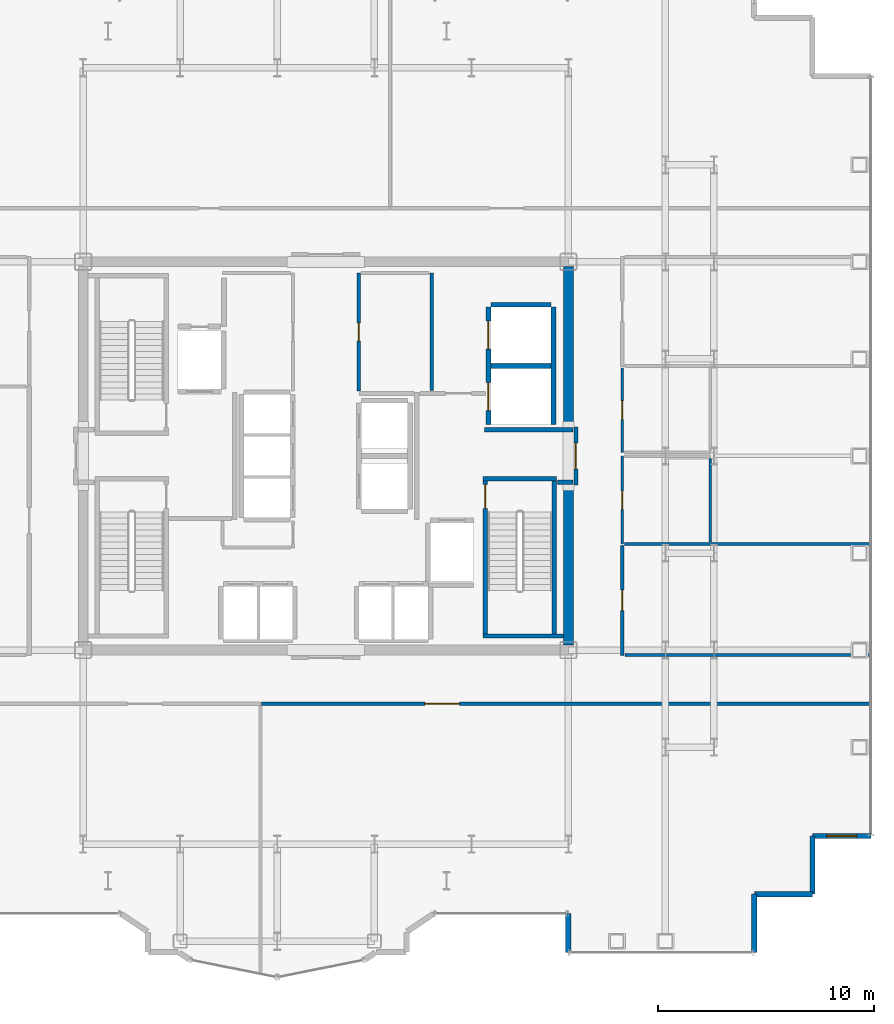
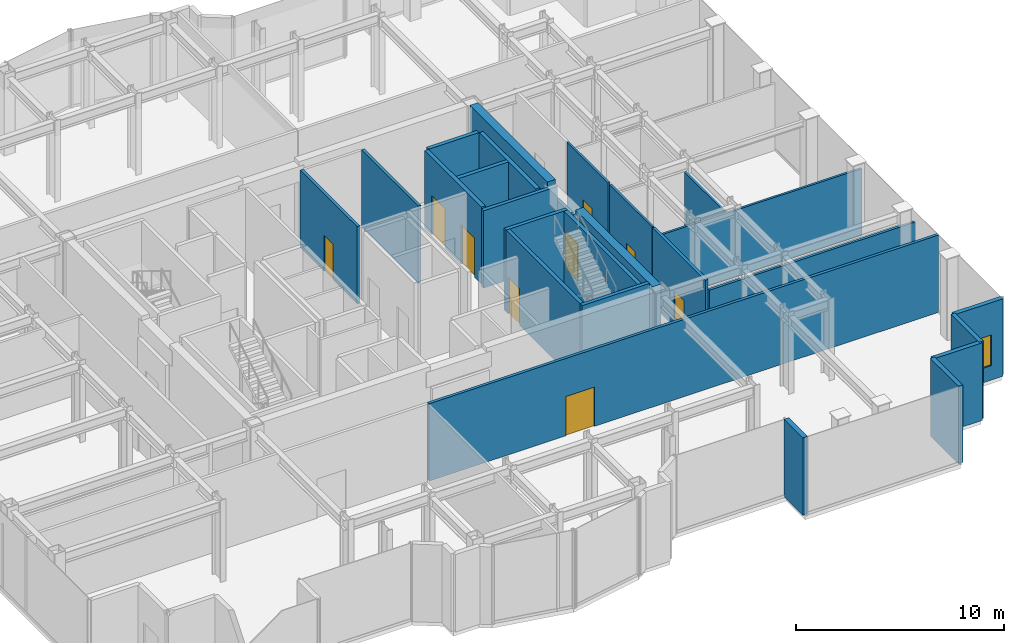
# One storey, part 16 of 20: 27 walls, 9 doors, 1 window, 10 openings.
"""IFC4 building model written with IfcOpenShell, lengths in metres."""

import ifcopenshell
import ifcopenshell.guid

model = None  # the IFC model being written
_history = None  # IfcOwnerHistory: only IFC2X3 demands one
_inside = {}  # id of a spatial element -> (the spatial element, [elements in it])
_under = {}  # id of a project, library or spatial element -> (it, [spatial elements below it])
_declared = {}  # id of a project -> (the project, [libraries it declares])
_typed = {}  # id of a type object -> (the type object, [elements of that type])
_made_of = {}  # id of a material, layer set ... -> (it, [elements and type objects made of it])


def new_model(schema):
    """Start an empty IFC model of exactly this schema.

    Asked for "IFC4X3", IfcOpenShell would pick the latest addendum, in which some entities
    have other attributes; the version numbers below select the first issue.
    IFC2X3 requires an IfcOwnerHistory on every rooted entity: one is made here for all.
    """
    global model, _history
    if schema == "IFC4X3":
        model = ifcopenshell.file(schema_version=(4, 3, 0, 0))
    else:
        model = ifcopenshell.file(schema=schema)
    _inside.clear()
    _under.clear()
    _declared.clear()
    _typed.clear()
    _made_of.clear()
    _history = None
    if model.schema == "IFC2X3":
        org = make("IfcOrganization", Name="unknown")
        user = make(
            "IfcPersonAndOrganization",
            ThePerson=make("IfcPerson", FamilyName="unknown"),
            TheOrganization=org,
        )
        app = make(
            "IfcApplication",
            ApplicationDeveloper=org,
            Version="unknown",
            ApplicationFullName="unknown",
            ApplicationIdentifier="unknown",
        )
        _history = make(
            "IfcOwnerHistory",
            OwningUser=user,
            OwningApplication=app,
            ChangeAction="ADDED",
            CreationDate=0,
        )
    return model


def make(cls, **values):
    """One entity of the class cls with the attributes given. An attribute that is None is left unset."""
    return model.create_entity(
        cls, **{name: value for name, value in values.items() if value is not None}
    )


def rooted(cls, **values):
    """An entity with a GlobalId (a new one), such as an element, a storey or a relation."""
    return make(cls, GlobalId=ifcopenshell.guid.new(), OwnerHistory=_history, **values)


def si_unit(unit_type, name, prefix=None):
    """IfcSIUnit, for example si_unit("LENGTHUNIT", "METRE", prefix="MILLI")."""
    return make("IfcSIUnit", UnitType=unit_type, Prefix=prefix, Name=name)


def assignment(units):
    """IfcUnitAssignment: the units of a project."""
    return None if units is None else make("IfcUnitAssignment", Units=units)


def point(xyz):
    """IfcCartesianPoint."""
    return None if xyz is None else make("IfcCartesianPoint", Coordinates=xyz)


def direction(xyz):
    """IfcDirection."""
    return None if xyz is None else make("IfcDirection", DirectionRatios=xyz)


def frame(location, z_axis=None, x_axis=None):
    """IfcAxis2Placement3D, a coordinate frame: its origin and axes. An axis left out is left unset."""
    return make(
        "IfcAxis2Placement3D",
        Location=point(location),
        Axis=direction(z_axis),
        RefDirection=direction(x_axis),
    )


def frame_2d(location, x_axis=None):
    """IfcAxis2Placement2D, a coordinate frame in the plane: its origin and x axis."""
    return make(
        "IfcAxis2Placement2D", Location=point(location), RefDirection=direction(x_axis)
    )


def origin():
    """The frame at (0, 0, 0) with its axes left unset."""
    return frame((0.0, 0.0, 0.0))


def place(relative_to, where):
    """IfcLocalPlacement: puts the frame where relative to a parent placement (None: the world)."""
    return make(
        "IfcLocalPlacement", PlacementRelTo=relative_to, RelativePlacement=where
    )


def context(
    kind, dimensions, precision=None, world=None, true_north=None, identifier=None
):
    """IfcGeometricRepresentationContext, for example the 3D "Model" context."""
    return make(
        "IfcGeometricRepresentationContext",
        ContextIdentifier=identifier,
        ContextType=kind,
        CoordinateSpaceDimension=dimensions,
        Precision=precision,
        WorldCoordinateSystem=world,
        TrueNorth=true_north,
    )


def subcontext(parent, identifier, kind, view, scale=None):
    """IfcGeometricRepresentationSubContext, for example "Body" below "Model"."""
    return make(
        "IfcGeometricRepresentationSubContext",
        ContextIdentifier=identifier,
        ContextType=kind,
        ParentContext=parent,
        TargetScale=scale,
        TargetView=view,
    )


def project(units=None, contexts=None):
    """IfcProject with its units and contexts."""
    return rooted(
        "IfcProject",
        Name="project",
        RepresentationContexts=contexts,
        UnitsInContext=assignment(units),
    )


def spatial(cls, under=None, at=None, **own):
    """A site, building, storey or space (cls), placed at a placement, below another one or the project."""
    s = rooted(cls, ObjectPlacement=at, **own)
    if under is not None:
        _under.setdefault(under.id(), (under, []))[1].append(s)
    return s


def profile(cls, at=None, kind="AREA", **sizes):
    """A parametric profile (cls). Its sizes go by their IFC names, for example OverallWidth=200.0."""
    return make(cls, ProfileType=kind, Position=at, **sizes)


def rectangle(**sizes):
    """IfcRectangleProfileDef."""
    return profile("IfcRectangleProfileDef", **sizes)


def extrude(swept, where, along, depth):
    """IfcExtrudedAreaSolid: the profile swept, set in the frame where, extruded along a direction by depth."""
    return make(
        "IfcExtrudedAreaSolid",
        SweptArea=swept,
        Position=where,
        ExtrudedDirection=direction(along),
        Depth=depth,
    )


def shape(context_of_items, identifier, shape_type, items):
    """IfcShapeRepresentation: the items that make up one representation, for example the "Body"."""
    return make(
        "IfcShapeRepresentation",
        ContextOfItems=context_of_items,
        RepresentationIdentifier=identifier,
        RepresentationType=shape_type,
        Items=items,
    )


def source(mapping_origin, context_of_items, identifier, shape_type, items):
    """IfcRepresentationMap: a shape defined once, which mapped items show again and again."""
    return make(
        "IfcRepresentationMap",
        MappingOrigin=mapping_origin,
        MappedRepresentation=shape(context_of_items, identifier, shape_type, items),
    )


def transform(
    local_origin,
    x_axis=None,
    y_axis=None,
    z_axis=None,
    scale=None,
    scale2=None,
    scale3=None,
    uniform=True,
):
    """IfcCartesianTransformationOperator3D, or its non-uniform kind. x_axis, y_axis, z_axis: its Axis1, 2, 3."""
    if uniform:
        return make(
            "IfcCartesianTransformationOperator3D",
            Axis1=direction(x_axis),
            Axis2=direction(y_axis),
            LocalOrigin=point(local_origin),
            Scale=scale,
            Axis3=direction(z_axis),
        )
    return make(
        "IfcCartesianTransformationOperator3DnonUniform",
        Axis1=direction(x_axis),
        Axis2=direction(y_axis),
        LocalOrigin=point(local_origin),
        Scale=scale,
        Axis3=direction(z_axis),
        Scale2=scale2,
        Scale3=scale3,
    )


def mapped(mapping_source, mapping_target):
    """IfcMappedItem: shows the shape of a source again, moved by a transform."""
    return make(
        "IfcMappedItem", MappingSource=mapping_source, MappingTarget=mapping_target
    )


def material(Name=None, Category=None):
    """IfcMaterial."""
    return make("IfcMaterial", Name=Name, Category=Category)


def layer(
    of_material, thickness, ventilated=None, Name=None, Category=None, Priority=None
):
    """IfcMaterialLayer: one layer of a wall or slab, of a material (None: an air gap)."""
    return make(
        "IfcMaterialLayer",
        Material=of_material,
        LayerThickness=thickness,
        IsVentilated=ventilated,
        Name=Name,
        Category=Category,
        Priority=Priority,
    )


def layer_set(layers, Name=None):
    """IfcMaterialLayerSet."""
    return make("IfcMaterialLayerSet", MaterialLayers=layers, LayerSetName=Name)


def made_of(thing, what):
    """Note that an element or type object is made of a material, layer set ...; save() writes the relation."""
    if what is not None:
        _made_of.setdefault(what.id(), (what, []))[1].append(thing)
    return thing


def type_object(cls, material=None, **own):
    """A type object (cls), such as IfcWallType, which elements share."""
    return made_of(rooted(cls, **own), material)


def element(
    cls,
    number,
    at=None,
    inside=None,
    cuts=None,
    type_object=None,
    material=None,
    context=None,
    identifier="Body",
    shape_type=None,
    held_by="IfcProductDefinitionShape",
    body=None,
    shapes=None,
    **own,
):
    """One element of the class cls, such as IfcWall. Its Tag is "e" and its number.

    at: its placement. inside: the storey or other place that contains it. cuts: it is an
    opening in that element (IfcRelVoidsElement). A single representation is given by context,
    identifier, shape_type and body (its items); several are given by shapes. held_by: the class
    of the entity that holds the representations. save() writes the other relations.
    """
    e = rooted(cls, Tag="e%d" % number, ObjectPlacement=at, **own)
    if body is not None:
        shapes = [shape(context, identifier, shape_type, body)]
    if shapes is not None:
        e.Representation = make(held_by, Representations=shapes)
    if inside is not None:
        _inside.setdefault(inside.id(), (inside, []))[1].append(e)
    if cuts is not None:
        rooted(
            "IfcRelVoidsElement", RelatingBuildingElement=cuts, RelatedOpeningElement=e
        )
    if type_object is not None:
        _typed.setdefault(type_object.id(), (type_object, []))[1].append(e)
    return made_of(e, material)


def fill(opening, filler):
    """IfcRelFillsElement: the door or window that sits in an opening."""
    return rooted(
        "IfcRelFillsElement",
        RelatingOpeningElement=opening,
        RelatedBuildingElement=filler,
    )


def aggregate(whole, parts):
    """IfcRelAggregates: a whole, such as a stair, and the parts it consists of."""
    return rooted("IfcRelAggregates", RelatingObject=whole, RelatedObjects=parts)


def save(model, path):
    """Write the relations noted so far, then the file.

    IfcRelAggregates (storeys below a building ...), IfcRelContainedInSpatialStructure (elements
    in a storey), IfcRelDefinesByType, IfcRelAssociatesMaterial and IfcRelDeclares: one each for
    every whole, place, type object, material and project.
    """
    for whole, parts in _under.values():
        aggregate(whole, parts)
    for where, things in _inside.values():
        rooted(
            "IfcRelContainedInSpatialStructure",
            RelatedElements=things,
            RelatingStructure=where,
        )
    for kind, things in _typed.values():
        rooted("IfcRelDefinesByType", RelatedObjects=things, RelatingType=kind)
    for what, things in _made_of.values():
        rooted("IfcRelAssociatesMaterial", RelatedObjects=things, RelatingMaterial=what)
    for by, libraries in _declared.values():
        rooted("IfcRelDeclares", RelatingContext=by, RelatedDefinitions=libraries)
    model.write(path)


model = new_model("IFC4")

# Units and contexts
model_context = context("Model", 3, precision=1e-05, world=origin(), true_north=direction((0.0, 1.0)))
body_context = subcontext(model_context, "Body", "Model", "MODEL_VIEW")
ifc_project = project(units=[si_unit("LENGTHUNIT", "METRE"), si_unit("AREAUNIT", "SQUARE_METRE"), si_unit("VOLUMEUNIT", "CUBIC_METRE"), si_unit("PLANEANGLEUNIT", "RADIAN"), si_unit("MASSUNIT", "GRAM", prefix="KILO")], contexts=[model_context])

# Site, building, storey
site_placement = place(None, origin())
site = spatial("IfcSite", under=ifc_project, at=site_placement, CompositionType="ELEMENT")
building_placement = place(site_placement, origin())
building = spatial("IfcBuilding", under=site, at=building_placement, Name="Nefas-Gora Pilgrimage Tower", CompositionType="ELEMENT")
storey_placement = place(building_placement, frame((0.0, 0.0, 259.800048828125)))
storey = spatial("IfcBuildingStorey", under=building, at=storey_placement, Name="L65", CompositionType="ELEMENT", Elevation=259.800048828125)

# Walls
ifc_material_1 = material(Name="Concrete C50/60", Category="concrete")
ifc_layer_1 = layer(ifc_material_1, 0.449951171875)
ifc_layer_set_1 = layer_set([ifc_layer_1], Name="Concrete C50/60")
wall_type_1 = type_object("IfcWallType", Name="SW-CORE-450", PredefinedType="SHEAR", material=ifc_layer_set_1)
shared_shape_1 = source(origin(), body_context, "Body", "SweptSolid", [
    extrude(rectangle(XDim=7.4248046875, YDim=0.449951171875, at=frame_2d((3.71240234375, 0.0))), origin(), (0.0, 0.0, 1.0), 4.800048828125),
])
for number, where, z_axis, x_axis, name in (
    (1, (11.25, -8.77490234375, 0.0), (0.0, 0.0, 1.0), (0.0, 1.0, 0.0), "L65 Core Shear Wall E-South"),
    (2, (11.25, 1.35009765625, 0.0), (0.0, 0.0, 1.0), (0.0, 1.0, 0.0), "L65 Core Shear Wall E-North"),
):
    element("IfcWall", number, at=place(storey_placement, frame(where, z_axis=z_axis, x_axis=x_axis)), inside=storey, type_object=wall_type_1, Name=name, PredefinedType="SHEAR", context=body_context, shape_type="MappedRepresentation", body=[
        mapped(shared_shape_1, transform((0.0, 0.0, 0.0), x_axis=(1.0, 0.0, 0.0), y_axis=(0.0, 1.0, 0.0), z_axis=(0.0, 0.0, 1.0), scale=1.0)),
    ])
ifc_material_2 = material(Name="Precast concrete C40/50", Category="concrete")
ifc_layer_2 = layer(ifc_material_2, 0.260009765625)
ifc_layer_set_2 = layer_set([ifc_layer_2], Name="Precast concrete C40/50")
wall_type_2 = type_object("IfcWallType", Name="EW-PORTAL-260", PredefinedType="SOLIDWALL", material=ifc_layer_set_2)
shared_shape_2 = source(origin(), body_context, "Body", "SweptSolid", [
    extrude(rectangle(XDim=1.800048828125, YDim=0.260009765625, at=frame_2d((0.89990234375, 0.0))), origin(), (0.0, 0.0, 1.0), 4.550048828125),
])
wall_1_placement = place(storey_placement, frame((11.25, -21.219970703125, 0.0), z_axis=(0.0, 0.0, 1.0), x_axis=(0.0, -1.0, 0.0)))
element("IfcWall", 3, at=wall_1_placement, inside=storey, type_object=wall_type_2, Name="L65 Lobe Shoulder Precast Spandrel Pier 1", PredefinedType="SOLIDWALL", context=body_context, shape_type="MappedRepresentation", body=[
    mapped(shared_shape_2, transform((0.0, 0.0, 0.0), x_axis=(1.0, 0.0, 0.0), y_axis=(0.0, 1.0, 0.0), z_axis=(0.0, 0.0, 1.0), scale=1.0)),
])
ifc_material_3 = material(Name="Precast concrete C45/55", Category="concrete")
ifc_layer_3 = layer(ifc_material_3, 0.239990234375)
ifc_layer_set_3 = layer_set([ifc_layer_3], Name="Precast concrete C45/55")
wall_type_3 = type_object("IfcWallType", Name="EW-SERR-240", PredefinedType="SHEAR", material=ifc_layer_set_3)
shared_shape_3 = source(origin(), body_context, "Body", "SweptSolid", [
    extrude(rectangle(XDim=2.699951171875, YDim=0.239990234375, at=frame_2d((1.35009765625, 0.0))), origin(), (0.0, 0.0, 1.0), 4.550048828125),
])
for number, where, z_axis, x_axis, name in (
    (4, (19.8701171875, -23.02001953125, 0.0), (0.0, 0.0, 1.0), (0.0, 1.0, 0.0), "L65 Serrated Corner Shear Pier Wall 2"),
    (5, (19.8701171875, -20.320068359375, 0.0), (0.0, 0.0, 1.0), (1.0, 0.0, 0.0), "L65 Serrated Corner Shear Pier Wall 3"),
    (6, (22.570068359375, -20.320068359375, 0.0), (0.0, 0.0, 1.0), (0.0, 1.0, 0.0), "L65 Serrated Corner Shear Pier Wall 4"),
):
    element("IfcWall", number, at=place(storey_placement, frame(where, z_axis=z_axis, x_axis=x_axis)), inside=storey, type_object=wall_type_3, Name=name, PredefinedType="SHEAR", context=body_context, shape_type="MappedRepresentation", body=[
        mapped(shared_shape_3, transform((0.0, 0.0, 0.0), x_axis=(1.0, 0.0, 0.0), y_axis=(0.0, 1.0, 0.0), z_axis=(0.0, 0.0, 1.0), scale=1.0)),
    ])

# Wall, opening, window
wall_2_placement = place(storey_placement, frame((22.570068359375, -17.6201171875, 0.0), z_axis=(0.0, 0.0, 1.0), x_axis=(1.0, 0.0, 0.0)))
wall_2 = element("IfcWall", 7, at=wall_2_placement, inside=storey, type_object=wall_type_3, Name="L65 Serrated Corner Shear Pier Wall 5", PredefinedType="SHEAR", context=body_context, shape_type="MappedRepresentation", body=[
    mapped(shared_shape_3, transform((0.0, 0.0, 0.0), x_axis=(1.0, 0.0, 0.0), y_axis=(0.0, 1.0, 0.0), z_axis=(0.0, 0.0, 1.0), scale=1.0)),
])
opening_1_placement = place(wall_2_placement, frame((0.64990234375, 0.0, 0.85009765625)))
opening_1 = element("IfcOpeningElement", 8, at=opening_1_placement, cuts=wall_2, Name="Opening W-V2", PredefinedType="OPENING", context=body_context, shape_type="SweptSolid", body=[
    extrude(rectangle(XDim=1.39990234375, YDim=1.800048828125, at=frame_2d((0.699951171875, 0.89990234375))), frame((0.0, 0.1298828125, 0.0), z_axis=(0.0, -1.0, 0.0), x_axis=(1.0, 0.0, 0.0)), (0.0, 0.0, 1.0), 0.260009765625),
])
ifc_material_4 = material(Name="Dark ceramic-fritted operable aluminium-glass window", Category="aluminium")
window_type = type_object("IfcWindowType", Name="WIN-VENT-1400x1800", PartitioningType="SINGLE_PANEL", PredefinedType="WINDOW", material=ifc_material_4)
shared_shape_4 = source(origin(), body_context, "Body", "SweptSolid", [
    extrude(rectangle(XDim=1.39990234375, YDim=1.800048828125, at=frame_2d((0.699951171875, 0.89990234375))), frame((0.0, 0.030029296875, 0.0), z_axis=(0.0, -1.0, 0.0), x_axis=(1.0, 0.0, 0.0)), (0.0, 0.0, 1.0), 0.06005859375),
])
window_placement = place(opening_1_placement, origin())
window = element("IfcWindow", 9, at=window_placement, inside=storey, type_object=window_type, Name="L65 Operable Parallel-Outswing Window 5", OverallHeight=1.800048828125, OverallWidth=1.39990234375, PartitioningType="SINGLE_PANEL", PredefinedType="WINDOW", context=body_context, shape_type="MappedRepresentation", body=[
    mapped(shared_shape_4, transform((0.0, 0.0, 0.0), x_axis=(1.0, 0.0, 0.0), y_axis=(0.0, 1.0, 0.0), z_axis=(0.0, 0.0, 1.0), scale=1.0)),
])
fill(opening_1, window)

# Wall
ifc_material_5 = material(Name="Concrete C45/55", Category="concrete")
ifc_layer_4 = layer(ifc_material_5, 0.199951171875)
ifc_layer_set_4 = layer_set([ifc_layer_4], Name="Concrete C45/55")
wall_type_4 = type_object("IfcWallType", Name="IW-STAIR-200", PredefinedType="SOLIDWALL", material=ifc_layer_set_4)
shared_shape_5 = source(origin(), body_context, "Body", "SweptSolid", [
    extrude(rectangle(XDim=3.39990234375, YDim=0.199951171875, at=frame_2d((1.699951171875, 0.0))), origin(), (0.0, 0.0, 1.0), 4.800048828125),
])
wall_3_placement = place(storey_placement, frame((7.300048828125, -1.050048828125, 0.0), z_axis=(0.0, 0.0, 1.0), x_axis=(1.0, 0.0, 0.0)))
element("IfcWall", 10, at=wall_3_placement, inside=storey, type_object=wall_type_4, Name="L65 Stairwell Shear Wall ST-02-near", PredefinedType="SOLIDWALL", context=body_context, shape_type="MappedRepresentation", body=[
    mapped(shared_shape_5, transform((0.0, 0.0, 0.0), x_axis=(1.0, 0.0, 0.0), y_axis=(0.0, 1.0, 0.0), z_axis=(0.0, 0.0, 1.0), scale=1.0)),
])

# Wall, opening, door
shared_shape_6 = source(origin(), body_context, "Body", "SweptSolid", [
    extrude(rectangle(XDim=7.10009765625, YDim=0.199951171875, at=frame_2d((3.550048828125, 0.0))), origin(), (0.0, 0.0, 1.0), 4.800048828125),
])
wall_4_placement = place(storey_placement, frame((7.39990234375, -1.14990234375, 0.0), z_axis=(0.0, 0.0, 1.0), x_axis=(0.0, -1.0, 0.0)))
wall_4 = element("IfcWall", 11, at=wall_4_placement, inside=storey, type_object=wall_type_4, Name="L65 Stairwell Shear Wall ST-02-left", PredefinedType="SOLIDWALL", context=body_context, shape_type="MappedRepresentation", body=[
    mapped(shared_shape_6, transform((0.0, 0.0, 0.0), x_axis=(1.0, 0.0, 0.0), y_axis=(0.0, 1.0, 0.0), z_axis=(0.0, 0.0, 1.0), scale=1.0)),
])
opening_2_placement = place(wall_4_placement, frame((0.179931640625, 0.0, 0.0)))
opening_2 = element("IfcOpeningElement", 12, at=opening_2_placement, cuts=wall_4, Name="Opening ID-ST1", PredefinedType="OPENING", context=body_context, shape_type="SweptSolid", body=[
    extrude(rectangle(XDim=1.10009765625, YDim=2.14990234375, at=frame_2d((0.550048828125, 1.074951171875))), frame((0.0, 0.10986328125, 0.0), z_axis=(0.0, -1.0, 0.0), x_axis=(1.0, 0.0, 0.0)), (0.0, 0.0, 1.0), 0.219970703125),
])
ifc_material_6 = material(Name="Painted galvanised steel fire stair door", Category="steel")
door_type_1 = type_object("IfcDoorType", Name="DR-INT-STAIR-1100", OperationType="NOTDEFINED", PredefinedType="DOOR", material=ifc_material_6)
shared_shape_7 = source(origin(), body_context, "Body", "SweptSolid", [
    extrude(rectangle(XDim=1.10009765625, YDim=2.14990234375, at=frame_2d((0.550048828125, 1.074951171875))), frame((0.0, 0.02490234375, 0.0), z_axis=(0.0, -1.0, 0.0), x_axis=(1.0, 0.0, 0.0)), (0.0, 0.0, 1.0), 0.050048828125),
])
door_1_placement = place(opening_2_placement, origin())
door_1 = element("IfcDoor", 13, at=door_1_placement, inside=storey, type_object=door_type_1, Name="L65 Protected Exit Stair Door ST-02", OperationType="SINGLE_SWING_RIGHT", OverallHeight=2.14990234375, OverallWidth=1.10009765625, PredefinedType="DOOR", context=body_context, shape_type="MappedRepresentation", body=[
    mapped(shared_shape_7, transform((0.0, 0.0, 0.0), x_axis=(1.0, 0.0, 0.0), y_axis=(0.0, 1.0, 0.0), z_axis=(0.0, 0.0, 1.0), scale=1.0)),
])
fill(opening_2, door_1)

# Walls
wall_5_placement = place(storey_placement, frame((10.60009765625, -1.14990234375, 0.0), z_axis=(0.0, 0.0, 1.0), x_axis=(0.0, -1.0, 0.0)))
element("IfcWall", 14, at=wall_5_placement, inside=storey, type_object=wall_type_4, Name="L65 Stairwell Shear Wall ST-02-right", PredefinedType="SOLIDWALL", context=body_context, shape_type="MappedRepresentation", body=[
    mapped(shared_shape_6, transform((0.0, 0.0, 0.0), x_axis=(1.0, 0.0, 0.0), y_axis=(0.0, 1.0, 0.0), z_axis=(0.0, 0.0, 1.0), scale=1.0)),
])
shared_shape_8 = source(origin(), body_context, "Body", "SweptSolid", [
    extrude(rectangle(XDim=3.72998046875, YDim=0.199951171875, at=frame_2d((1.864990234375, 0.0))), origin(), (0.0, 0.0, 1.0), 4.800048828125),
])
wall_6_placement = place(storey_placement, frame((7.300048828125, -8.35009765625, 0.0), z_axis=(0.0, 0.0, 1.0), x_axis=(1.0, 0.0, 0.0)))
element("IfcWall", 15, at=wall_6_placement, inside=storey, type_object=wall_type_4, Name="L65 Stairwell Shear Wall ST-02-far", PredefinedType="SOLIDWALL", context=body_context, shape_type="MappedRepresentation", body=[
    mapped(shared_shape_8, transform((0.0, 0.0, 0.0), x_axis=(1.0, 0.0, 0.0), y_axis=(0.0, 1.0, 0.0), z_axis=(0.0, 0.0, 1.0), scale=1.0)),
])

# Wall, openings, doors
ifc_material_7 = material(Name="Concrete C40/50", Category="concrete")
ifc_layer_5 = layer(ifc_material_7, 0.219970703125)
ifc_layer_set_5 = layer_set([ifc_layer_5], Name="Concrete C40/50")
wall_type_5 = type_object("IfcWallType", Name="IW-SHAFT-220", PredefinedType="SOLIDWALL", material=ifc_layer_set_5)
shared_shape_9 = source(origin(), body_context, "Body", "SweptSolid", [
    extrude(rectangle(XDim=5.449951171875, YDim=0.219970703125, at=frame_2d((2.72509765625, 0.0))), origin(), (0.0, 0.0, 1.0), 4.534912109375),
])
wall_7_placement = place(storey_placement, frame((7.5400390625, 6.89990234375, 0.0), z_axis=(0.0, 0.0, 1.0), x_axis=(0.0, -1.0, 0.0)))
wall_7 = element("IfcWall", 16, at=wall_7_placement, inside=storey, type_object=wall_type_5, Name="L65 Hoistway Wall SL-01-02-W", PredefinedType="SOLIDWALL", context=body_context, shape_type="MappedRepresentation", body=[
    mapped(shared_shape_9, transform((0.0, 0.0, 0.0), x_axis=(1.0, 0.0, 0.0), y_axis=(0.0, 1.0, 0.0), z_axis=(0.0, 0.0, 1.0), scale=1.0)),
])
opening_3_placement = place(wall_7_placement, frame((3.5, 0.0, 0.0)))
opening_3 = element("IfcOpeningElement", 17, at=opening_3_placement, cuts=wall_7, Name="Opening LD-SV", PredefinedType="OPENING", context=body_context, shape_type="SweptSolid", body=[
    extrude(rectangle(XDim=1.300048828125, YDim=2.300048828125, at=frame_2d((0.64990234375, 1.14990234375))), frame((0.0, 0.119873046875, 0.0), z_axis=(0.0, -1.0, 0.0), x_axis=(1.0, 0.0, 0.0)), (0.0, 0.0, 1.0), 0.239990234375),
])
opening_4_placement = place(wall_7_placement, frame((0.64990234375, 0.0, 0.0)))
opening_4 = element("IfcOpeningElement", 18, at=opening_4_placement, cuts=wall_7, Name="Opening LD-SV", PredefinedType="OPENING", context=body_context, shape_type="SweptSolid", body=[
    extrude(rectangle(XDim=1.300048828125, YDim=2.300048828125, at=frame_2d((0.64990234375, 1.14990234375))), frame((0.0, 0.119873046875, 0.0), z_axis=(0.0, -1.0, 0.0), x_axis=(1.0, 0.0, 0.0)), (0.0, 0.0, 1.0), 0.239990234375),
])
ifc_material_8 = material(Name="Heavy goods sliding lift landing door")
door_type_2 = type_object("IfcDoorType", Name="DR-LIFT-SERV-1300", OperationType="SLIDING_TO_RIGHT", PredefinedType="DOOR", material=ifc_material_8)
shared_shape_10 = source(origin(), body_context, "Body", "SweptSolid", [
    extrude(rectangle(XDim=1.300048828125, YDim=2.300048828125, at=frame_2d((0.64990234375, 1.14990234375))), frame((0.0, 0.02490234375, 0.0), z_axis=(0.0, -1.0, 0.0), x_axis=(1.0, 0.0, 0.0)), (0.0, 0.0, 1.0), 0.050048828125),
])
door_2_placement = place(opening_3_placement, origin())
door_2 = element("IfcDoor", 19, at=door_2_placement, inside=storey, type_object=door_type_2, Name="L65 Sliding Lift Landing Door SL-01", OperationType="SLIDING_TO_RIGHT", OverallHeight=2.300048828125, OverallWidth=1.300048828125, PredefinedType="DOOR", context=body_context, shape_type="MappedRepresentation", body=[
    mapped(shared_shape_10, transform((0.0, 0.0, 0.0), x_axis=(1.0, 0.0, 0.0), y_axis=(0.0, 1.0, 0.0), z_axis=(0.0, 0.0, 1.0), scale=1.0)),
])
fill(opening_3, door_2)
door_3_placement = place(opening_4_placement, origin())
door_3 = element("IfcDoor", 20, at=door_3_placement, inside=storey, type_object=door_type_2, Name="L65 Sliding Lift Landing Door SL-02", OperationType="SLIDING_TO_RIGHT", OverallHeight=2.300048828125, OverallWidth=1.300048828125, PredefinedType="DOOR", context=body_context, shape_type="MappedRepresentation", body=[
    mapped(shared_shape_10, transform((0.0, 0.0, 0.0), x_axis=(1.0, 0.0, 0.0), y_axis=(0.0, 1.0, 0.0), z_axis=(0.0, 0.0, 1.0), scale=1.0)),
])
fill(opening_4, door_3)

# Walls
wall_8_placement = place(storey_placement, frame((10.56005859375, 1.449951171875, 0.0), z_axis=(0.0, 0.0, 1.0), x_axis=(0.0, 1.0, 0.0)))
element("IfcWall", 21, at=wall_8_placement, inside=storey, type_object=wall_type_5, Name="L65 Hoistway Wall SL-01-02-E", PredefinedType="SOLIDWALL", context=body_context, shape_type="MappedRepresentation", body=[
    mapped(shared_shape_9, transform((0.0, 0.0, 0.0), x_axis=(1.0, 0.0, 0.0), y_axis=(0.0, 1.0, 0.0), z_axis=(0.0, 0.0, 1.0), scale=1.0)),
])
shared_shape_11 = source(origin(), body_context, "Body", "SweptSolid", [
    extrude(rectangle(XDim=2.780029296875, YDim=0.219970703125, at=frame_2d((1.39013671875, 0.0))), origin(), (0.0, 0.0, 1.0), 4.534912109375),
])
for number, where, z_axis, x_axis, name in (
    (22, (7.659912109375, 4.175048828125, 0.0), (0.0, 0.0, 1.0), (1.0, 0.0, 0.0), "L65 Hoistway Wall SL-01-02-DIV"),
    (23, (10.43994140625, 7.010009765625, 0.0), (0.0, 0.0, 1.0), (-1.0, 0.0, 0.0), "L65 Hoistway Wall SL-02-N"),
):
    element("IfcWall", number, at=place(storey_placement, frame(where, z_axis=z_axis, x_axis=x_axis)), inside=storey, type_object=wall_type_5, Name=name, PredefinedType="SOLIDWALL", context=body_context, shape_type="MappedRepresentation", body=[
        mapped(shared_shape_11, transform((0.0, 0.0, 0.0), x_axis=(1.0, 0.0, 0.0), y_axis=(0.0, 1.0, 0.0), z_axis=(0.0, 0.0, 1.0), scale=1.0)),
    ])
ifc_material_9 = material(Name="Gypsum fire-rated shaftwall")
ifc_layer_6 = layer(ifc_material_9, 0.199951171875)
ifc_layer_set_6 = layer_set([ifc_layer_6], Name="Gypsum fire-rated shaftwall")
wall_type_6 = type_object("IfcWallType", Name="IW-FFLOB-200", PredefinedType="PARTITIONING", material=ifc_layer_set_6)
shared_shape_12 = source(origin(), body_context, "Body", "SweptSolid", [
    extrude(rectangle(XDim=0.719970703125, YDim=0.199951171875, at=frame_2d((0.35986328125, 0.0))), origin(), (0.0, 0.0, 1.0), 4.534912109375),
])
wall_9_placement = place(storey_placement, frame((10.739990234375, -1.219970703125, 0.0), z_axis=(0.0, 0.0, 1.0), x_axis=(1.0, 0.0, 0.0)))
element("IfcWall", 24, at=wall_9_placement, inside=storey, type_object=wall_type_6, Name="L65 FF Lobby East Throat S Wall 14", PredefinedType="PARTITIONING", context=body_context, shape_type="MappedRepresentation", body=[
    mapped(shared_shape_12, transform((0.0, 0.0, 0.0), x_axis=(1.0, 0.0, 0.0), y_axis=(0.0, 1.0, 0.0), z_axis=(0.0, 0.0, 1.0), scale=1.0)),
])
shared_shape_13 = source(origin(), body_context, "Body", "SweptSolid", [
    extrude(rectangle(XDim=4.10986328125, YDim=0.199951171875, at=frame_2d((2.054931640625, 0.0))), origin(), (0.0, 0.0, 1.0), 4.534912109375),
])
wall_10_placement = place(storey_placement, frame((7.35009765625, 1.219970703125, 0.0), z_axis=(0.0, 0.0, 1.0), x_axis=(1.0, 0.0, 0.0)))
element("IfcWall", 25, at=wall_10_placement, inside=storey, type_object=wall_type_6, Name="L65 FF Lobby East Throat N Wall 13", PredefinedType="PARTITIONING", context=body_context, shape_type="MappedRepresentation", body=[
    mapped(shared_shape_13, transform((0.0, 0.0, 0.0), x_axis=(1.0, 0.0, 0.0), y_axis=(0.0, 1.0, 0.0), z_axis=(0.0, 0.0, 1.0), scale=1.0)),
])

# Wall, opening, door
ifc_material_10 = material(Name="Gypsum acoustic stud partition")
ifc_layer_7 = layer(ifc_material_10, 0.159912109375)
ifc_layer_set_7 = layer_set([ifc_layer_7], Name="Gypsum acoustic stud partition")
wall_type_7 = type_object("IfcWallType", Name="IW-CORR-160", PredefinedType="PARTITIONING", material=ifc_layer_set_7)
shared_shape_14 = source(origin(), body_context, "Body", "SweptSolid", [
    extrude(rectangle(XDim=5.080078125, YDim=0.159912109375, at=frame_2d((2.5400390625, 0.0))), origin(), (0.0, 0.0, 1.0), 4.534912109375),
])
wall_11_placement = place(storey_placement, frame((13.75, -9.239990234375, 0.0), z_axis=(0.0, 0.0, 1.0), x_axis=(0.0, 1.0, 0.0)))
wall_11 = element("IfcWall", 26, at=wall_11_placement, inside=storey, type_object=wall_type_7, Name="L65 Meditation Gallery Lounge Partition Wall 46", PredefinedType="PARTITIONING", context=body_context, shape_type="MappedRepresentation", body=[
    mapped(shared_shape_14, transform((0.0, 0.0, 0.0), x_axis=(1.0, 0.0, 0.0), y_axis=(0.0, 1.0, 0.0), z_axis=(0.0, 0.0, 1.0), scale=1.0)),
])
opening_5_placement = place(wall_11_placement, frame((2.06494140625, 0.0, 0.0)))
opening_5 = element("IfcOpeningElement", 27, at=opening_5_placement, cuts=wall_11, Name="Opening ID-GR1", PredefinedType="OPENING", context=body_context, shape_type="SweptSolid", body=[
    extrude(rectangle(XDim=0.949951171875, YDim=2.10009765625, at=frame_2d((0.47509765625, 1.050048828125))), frame((0.0, 0.08984375, 0.0), z_axis=(0.0, -1.0, 0.0), x_axis=(1.0, 0.0, 0.0)), (0.0, 0.0, 1.0), 0.179931640625),
])
ifc_material_11 = material(Name="Solid core oak fire-rated guest entrance door")
door_type_3 = type_object("IfcDoorType", Name="DR-INT-GUEST-950", OperationType="NOTDEFINED", PredefinedType="DOOR", material=ifc_material_11)
shared_shape_15 = source(origin(), body_context, "Body", "SweptSolid", [
    extrude(rectangle(XDim=0.949951171875, YDim=2.10009765625, at=frame_2d((0.47509765625, 1.050048828125))), frame((0.0, 0.02490234375, 0.0), z_axis=(0.0, -1.0, 0.0), x_axis=(1.0, 0.0, 0.0)), (0.0, 0.0, 1.0), 0.050048828125),
])
door_4_placement = place(opening_5_placement, origin())
door_4 = element("IfcDoor", 28, at=door_4_placement, inside=storey, type_object=door_type_3, Name="L65 Meditation Gallery Lounge Door 19", OperationType="SINGLE_SWING_RIGHT", OverallHeight=2.10009765625, OverallWidth=0.949951171875, PredefinedType="DOOR", context=body_context, shape_type="MappedRepresentation", body=[
    mapped(shared_shape_15, transform((0.0, 0.0, 0.0), x_axis=(1.0, 0.0, 0.0), y_axis=(0.0, 1.0, 0.0), z_axis=(0.0, 0.0, 1.0), scale=1.0)),
])
fill(opening_5, door_4)

shared_shape_16 = source(origin(), body_context, "Body", "SweptSolid", [
    extrude(rectangle(XDim=2.7001953125, YDim=0.199951171875, at=frame_2d((1.35009765625, 0.0))), origin(), (0.0, 0.0, 1.0), 3.625),
])
wall_12_placement = place(storey_placement, frame((11.60009765625, -1.35009765625, 0.0), z_axis=(0.0, 0.0, 1.0), x_axis=(0.0, 1.0, 0.0)))
wall_12 = element("IfcWall", 29, at=wall_12_placement, inside=storey, type_object=wall_type_6, Name="L65 FF Lobby East Portal Wall 9", PredefinedType="PARTITIONING", context=body_context, shape_type="MappedRepresentation", body=[
    mapped(shared_shape_16, transform((0.0, 0.0, 0.0), x_axis=(1.0, 0.0, 0.0), y_axis=(0.0, 1.0, 0.0), z_axis=(0.0, 0.0, 1.0), scale=1.0)),
])
opening_6_placement = place(wall_12_placement, frame((0.75, 0.0, 0.0)))
opening_6 = element("IfcOpeningElement", 30, at=opening_6_placement, cuts=wall_12, Name="Opening ID-FF1", PredefinedType="OPENING", context=body_context, shape_type="SweptSolid", body=[
    extrude(rectangle(XDim=1.199951171875, YDim=2.14990234375, at=frame_2d((0.60009765625, 1.074951171875))), frame((0.0, 0.10986328125, 0.0), z_axis=(0.0, -1.0, 0.0), x_axis=(1.0, 0.0, 0.0)), (0.0, 0.0, 1.0), 0.219970703125),
])
ifc_material_12 = material(Name="Smoke-sealed steel firefighting lobby door", Category="steel")
door_type_4 = type_object("IfcDoorType", Name="DR-INT-FFLOB-1200", OperationType="NOTDEFINED", PredefinedType="DOOR", material=ifc_material_12)
shared_shape_17 = source(origin(), body_context, "Body", "SweptSolid", [
    extrude(rectangle(XDim=1.199951171875, YDim=2.14990234375, at=frame_2d((0.60009765625, 1.074951171875))), frame((0.0, 0.02490234375, 0.0), z_axis=(0.0, -1.0, 0.0), x_axis=(1.0, 0.0, 0.0)), (0.0, 0.0, 1.0), 0.050048828125),
])
door_5_placement = place(opening_6_placement, origin())
door_5 = element("IfcDoor", 31, at=door_5_placement, inside=storey, type_object=door_type_4, Name="L65 FF Lobby East Portal Door 3", OperationType="SINGLE_SWING_LEFT", OverallHeight=2.14990234375, OverallWidth=1.199951171875, PredefinedType="DOOR", context=body_context, shape_type="MappedRepresentation", body=[
    mapped(shared_shape_17, transform((0.0, 0.0, 0.0), x_axis=(1.0, 0.0, 0.0), y_axis=(0.0, 1.0, 0.0), z_axis=(0.0, 0.0, 1.0), scale=1.0)),
])
fill(opening_6, door_5)

# Wall
shared_shape_18 = source(origin(), body_context, "Body", "SweptSolid", [
    extrude(rectangle(XDim=5.449951171875, YDim=0.159912109375, at=frame_2d((2.72509765625, 0.0))), origin(), (0.0, 0.0, 1.0), 4.534912109375),
])
wall_13_placement = place(storey_placement, frame((4.919921875, 3.0400390625, 0.0), z_axis=(0.0, 0.0, 1.0), x_axis=(0.0, 1.0, 0.0)))
element("IfcWall", 32, at=wall_13_placement, inside=storey, type_object=wall_type_7, Name="L65 Service Lift Lobby West Wall Wall 17", PredefinedType="PARTITIONING", context=body_context, shape_type="MappedRepresentation", body=[
    mapped(shared_shape_18, transform((0.0, 0.0, 0.0), x_axis=(1.0, 0.0, 0.0), y_axis=(0.0, 1.0, 0.0), z_axis=(0.0, 0.0, 1.0), scale=1.0)),
])

# Wall, opening, door
shared_shape_19 = source(origin(), body_context, "Body", "SweptSolid", [
    extrude(rectangle(XDim=5.47998046875, YDim=0.159912109375, at=frame_2d((2.739990234375, 0.0))), origin(), (0.0, 0.0, 1.0), 4.534912109375),
])
wall_14_placement = place(storey_placement, frame((1.52001953125, 3.010009765625, 0.0), z_axis=(0.0, 0.0, 1.0), x_axis=(0.0, 1.0, 0.0)))
wall_14 = element("IfcWall", 33, at=wall_14_placement, inside=storey, type_object=wall_type_7, Name="L65 Freed Bank-1 Amenity Supply Store Wall 23", PredefinedType="PARTITIONING", context=body_context, shape_type="MappedRepresentation", body=[
    mapped(shared_shape_19, transform((0.0, 0.0, 0.0), x_axis=(1.0, 0.0, 0.0), y_axis=(0.0, 1.0, 0.0), z_axis=(0.0, 0.0, 1.0), scale=1.0)),
])
opening_7_placement = place(wall_14_placement, frame((2.31494140625, 0.0, 0.0)))
opening_7 = element("IfcOpeningElement", 34, at=opening_7_placement, cuts=wall_14, Name="Opening ID-BT1", PredefinedType="OPENING", context=body_context, shape_type="SweptSolid", body=[
    extrude(rectangle(XDim=0.85009765625, YDim=2.10009765625, at=frame_2d((0.425048828125, 1.050048828125))), frame((0.0, 0.08984375, 0.0), z_axis=(0.0, -1.0, 0.0), x_axis=(1.0, 0.0, 0.0)), (0.0, 0.0, 1.0), 0.179931640625),
])
ifc_material_13 = material(Name="Moisture-resistant fire-rated timber door", Category="wood")
door_type_5 = type_object("IfcDoorType", Name="DR-INT-BATH-850", OperationType="NOTDEFINED", PredefinedType="DOOR", material=ifc_material_13)
shared_shape_20 = source(origin(), body_context, "Body", "SweptSolid", [
    extrude(rectangle(XDim=0.85009765625, YDim=2.10009765625, at=frame_2d((0.425048828125, 1.050048828125))), frame((0.0, 0.02490234375, 0.0), z_axis=(0.0, -1.0, 0.0), x_axis=(1.0, 0.0, 0.0)), (0.0, 0.0, 1.0), 0.050048828125),
])
door_6_placement = place(opening_7_placement, origin())
door_6 = element("IfcDoor", 35, at=door_6_placement, inside=storey, type_object=door_type_5, Name="L65 Freed Bank-1 Amenity Supply Store Door 9", OperationType="SINGLE_SWING_LEFT", OverallHeight=2.10009765625, OverallWidth=0.85009765625, PredefinedType="DOOR", context=body_context, shape_type="MappedRepresentation", body=[
    mapped(shared_shape_20, transform((0.0, 0.0, 0.0), x_axis=(1.0, 0.0, 0.0), y_axis=(0.0, 1.0, 0.0), z_axis=(0.0, 0.0, 1.0), scale=1.0)),
])
fill(opening_7, door_6)

shared_shape_21 = source(origin(), body_context, "Body", "SweptSolid", [
    extrude(rectangle(XDim=28.27001953125, YDim=0.159912109375, at=frame_2d((14.135009765625, 0.0))), origin(), (0.0, 0.0, 1.0), 4.534912109375),
])
wall_15_placement = place(storey_placement, frame((-2.97998046875, -11.47998046875, 0.0), z_axis=(0.0, 0.0, 1.0), x_axis=(1.0, 0.0, 0.0)))
wall_15 = element("IfcWall", 36, at=wall_15_placement, inside=storey, type_object=wall_type_7, Name="L65 Sky Sanctuary Prayer Hall Partition Wall 30", PredefinedType="PARTITIONING", context=body_context, shape_type="MappedRepresentation", body=[
    mapped(shared_shape_21, transform((0.0, 0.0, 0.0), x_axis=(1.0, 0.0, 0.0), y_axis=(0.0, 1.0, 0.0), z_axis=(0.0, 0.0, 1.0), scale=1.0)),
])
opening_8_placement = place(wall_15_placement, frame((7.580078125, 0.0, 0.0)))
opening_8 = element("IfcOpeningElement", 37, at=opening_8_placement, cuts=wall_15, Name="Opening ID-HL1", PredefinedType="OPENING", context=body_context, shape_type="SweptSolid", body=[
    extrude(rectangle(XDim=1.60009765625, YDim=2.300048828125, at=frame_2d((0.800048828125, 1.14990234375))), frame((0.0, 0.08984375, 0.0), z_axis=(0.0, -1.0, 0.0), x_axis=(1.0, 0.0, 0.0)), (0.0, 0.0, 1.0), 0.179931640625),
])
ifc_material_14 = material(Name="Double acoustic timber assembly hall door", Category="wood")
door_type_6 = type_object("IfcDoorType", Name="DR-INT-HALL-1600", OperationType="DOUBLE_DOOR_SINGLE_SWING", PredefinedType="DOOR", material=ifc_material_14)
shared_shape_22 = source(origin(), body_context, "Body", "SweptSolid", [
    extrude(rectangle(XDim=1.60009765625, YDim=2.300048828125, at=frame_2d((0.800048828125, 1.14990234375))), frame((0.0, 0.02490234375, 0.0), z_axis=(0.0, -1.0, 0.0), x_axis=(1.0, 0.0, 0.0)), (0.0, 0.0, 1.0), 0.050048828125),
])
door_7_placement = place(opening_8_placement, origin())
door_7 = element("IfcDoor", 38, at=door_7_placement, inside=storey, type_object=door_type_6, Name="L65 Sky Sanctuary Prayer Hall Door 13", OperationType="DOUBLE_DOOR_SINGLE_SWING", OverallHeight=2.300048828125, OverallWidth=1.60009765625, PredefinedType="DOOR", context=body_context, shape_type="MappedRepresentation", body=[
    mapped(shared_shape_22, transform((0.0, 0.0, 0.0), x_axis=(1.0, 0.0, 0.0), y_axis=(0.0, 1.0, 0.0), z_axis=(0.0, 0.0, 1.0), scale=1.0)),
])
fill(opening_8, door_7)

# Wall
ifc_material_15 = material(Name="Gypsum twin-stud partition")
ifc_layer_8 = layer(ifc_material_15, 0.139892578125)
ifc_layer_set_8 = layer_set([ifc_layer_8], Name="Gypsum twin-stud partition")
wall_type_8 = type_object("IfcWallType", Name="IW-UNIT-140", PredefinedType="PARTITIONING", material=ifc_layer_set_8)
shared_shape_23 = source(origin(), body_context, "Body", "SweptSolid", [
    extrude(rectangle(XDim=11.419921875, YDim=0.139892578125, at=frame_2d((5.7099609375, 0.0))), origin(), (0.0, 0.0, 1.0), 3.925048828125),
])
wall_16_placement = place(storey_placement, frame((13.8701171875, -9.22998046875, 0.0), z_axis=(0.0, 0.0, 1.0), x_axis=(1.0, 0.0, 0.0)))
element("IfcWall", 39, at=wall_16_placement, inside=storey, type_object=wall_type_8, Name="L65 Meditation Gallery Lounge Partition Wall 47", PredefinedType="PARTITIONING", context=body_context, shape_type="MappedRepresentation", body=[
    mapped(shared_shape_23, transform((0.0, 0.0, 0.0), x_axis=(1.0, 0.0, 0.0), y_axis=(0.0, 1.0, 0.0), z_axis=(0.0, 0.0, 1.0), scale=1.0)),
])

# Wall, opening, door
ifc_material_16 = material(Name="Moisture-resistant fire-rated gypsum partition")
ifc_layer_9 = layer(ifc_material_16, 0.1201171875)
ifc_layer_set_9 = layer_set([ifc_layer_9], Name="Moisture-resistant fire-rated gypsum partition")
wall_type_9 = type_object("IfcWallType", Name="IW-WET-120", PredefinedType="PLUMBINGWALL", material=ifc_layer_set_9)
shared_shape_24 = source(origin(), body_context, "Body", "SweptSolid", [
    extrude(rectangle(XDim=3.93017578125, YDim=0.1201171875, at=frame_2d((1.965087890625, 0.0))), origin(), (0.0, 0.0, 1.0), 4.534912109375),
])
wall_17_placement = place(storey_placement, frame((13.75, 0.159912109375, 0.0), z_axis=(0.0, 0.0, 1.0), x_axis=(0.0, 1.0, 0.0)))
wall_17 = element("IfcWall", 40, at=wall_17_placement, inside=storey, type_object=wall_type_9, Name="L65 Sky Lobby Accessible WC Partition Wall 39", PredefinedType="PLUMBINGWALL", context=body_context, shape_type="MappedRepresentation", body=[
    mapped(shared_shape_24, transform((0.0, 0.0, 0.0), x_axis=(1.0, 0.0, 0.0), y_axis=(0.0, 1.0, 0.0), z_axis=(0.0, 0.0, 1.0), scale=1.0)),
])
opening_9_placement = place(wall_17_placement, frame((1.5400390625, 0.0, 0.0)))
opening_9 = element("IfcOpeningElement", 41, at=opening_9_placement, cuts=wall_17, Name="Opening ID-BT1", PredefinedType="OPENING", context=body_context, shape_type="SweptSolid", body=[
    extrude(rectangle(XDim=0.85009765625, YDim=2.10009765625, at=frame_2d((0.425048828125, 1.050048828125))), frame((0.0, 0.070068359375, 0.0), z_axis=(0.0, -1.0, 0.0), x_axis=(1.0, 0.0, 0.0)), (0.0, 0.0, 1.0), 0.14013671875),
])
door_8_placement = place(opening_9_placement, origin())
door_8 = element("IfcDoor", 42, at=door_8_placement, inside=storey, type_object=door_type_5, Name="L65 Sky Lobby Accessible WC Door 17", OperationType="SINGLE_SWING_RIGHT", OverallHeight=2.10009765625, OverallWidth=0.85009765625, PredefinedType="DOOR", context=body_context, shape_type="MappedRepresentation", body=[
    mapped(shared_shape_20, transform((0.0, 0.0, 0.0), x_axis=(1.0, 0.0, 0.0), y_axis=(0.0, 1.0, 0.0), z_axis=(0.0, 0.0, 1.0), scale=1.0)),
])
fill(opening_9, door_8)

shared_shape_25 = source(origin(), body_context, "Body", "SweptSolid", [
    extrude(rectangle(XDim=4.080078125, YDim=0.1201171875, at=frame_2d((2.0400390625, 0.0))), origin(), (0.0, 0.0, 1.0), 4.534912109375),
])
wall_18_placement = place(storey_placement, frame((13.75, -4.090087890625, 0.0), z_axis=(0.0, 0.0, 1.0), x_axis=(0.0, 1.0, 0.0)))
wall_18 = element("IfcWall", 43, at=wall_18_placement, inside=storey, type_object=wall_type_9, Name="L65 Sky Lobby Public Restroom WC Partition Wall 42", PredefinedType="PLUMBINGWALL", context=body_context, shape_type="MappedRepresentation", body=[
    mapped(shared_shape_25, transform((0.0, 0.0, 0.0), x_axis=(1.0, 0.0, 0.0), y_axis=(0.0, 1.0, 0.0), z_axis=(0.0, 0.0, 1.0), scale=1.0)),
])
opening_10_placement = place(wall_18_placement, frame((1.614990234375, 0.0, 0.0)))
opening_10 = element("IfcOpeningElement", 44, at=opening_10_placement, cuts=wall_18, Name="Opening ID-BT1", PredefinedType="OPENING", context=body_context, shape_type="SweptSolid", body=[
    extrude(rectangle(XDim=0.85009765625, YDim=2.10009765625, at=frame_2d((0.425048828125, 1.050048828125))), frame((0.0, 0.070068359375, 0.0), z_axis=(0.0, -1.0, 0.0), x_axis=(1.0, 0.0, 0.0)), (0.0, 0.0, 1.0), 0.14013671875),
])
door_9_placement = place(opening_10_placement, origin())
door_9 = element("IfcDoor", 45, at=door_9_placement, inside=storey, type_object=door_type_5, Name="L65 Sky Lobby Public Restroom WC Door 18", OperationType="SINGLE_SWING_LEFT", OverallHeight=2.10009765625, OverallWidth=0.85009765625, PredefinedType="DOOR", context=body_context, shape_type="MappedRepresentation", body=[
    mapped(shared_shape_20, transform((0.0, 0.0, 0.0), x_axis=(1.0, 0.0, 0.0), y_axis=(0.0, 1.0, 0.0), z_axis=(0.0, 0.0, 1.0), scale=1.0)),
])
fill(opening_10, door_9)

# Walls
shared_shape_26 = source(origin(), body_context, "Body", "SweptSolid", [
    extrude(rectangle(XDim=11.43994140625, YDim=0.1201171875, at=frame_2d((5.719970703125, 0.0))), origin(), (0.0, 0.0, 1.0), 3.925048828125),
])
wall_19_placement = place(storey_placement, frame((13.85009765625, -4.080078125, 0.0), z_axis=(0.0, 0.0, 1.0), x_axis=(1.0, 0.0, 0.0)))
element("IfcWall", 46, at=wall_19_placement, inside=storey, type_object=wall_type_9, Name="L65 Sky Lobby Public Restroom WC Partition Wall 43", PredefinedType="PLUMBINGWALL", context=body_context, shape_type="MappedRepresentation", body=[
    mapped(shared_shape_26, transform((0.0, 0.0, 0.0), x_axis=(1.0, 0.0, 0.0), y_axis=(0.0, 1.0, 0.0), z_axis=(0.0, 0.0, 1.0), scale=1.0)),
])
shared_shape_27 = source(origin(), body_context, "Body", "SweptSolid", [
    extrude(rectangle(XDim=3.85986328125, YDim=0.1201171875, at=frame_2d((1.929931640625, 0.0))), origin(), (0.0, 0.0, 1.0), 3.925048828125),
])
wall_20_placement = place(storey_placement, frame((17.830078125, -3.97998046875, 0.0), z_axis=(0.0, 0.0, 1.0), x_axis=(0.0, 1.0, 0.0)))
element("IfcWall", 47, at=wall_20_placement, inside=storey, type_object=wall_type_9, Name="L65 Sky Lobby Public Restroom WC Partition Wall 45", PredefinedType="PLUMBINGWALL", context=body_context, shape_type="MappedRepresentation", body=[
    mapped(shared_shape_27, transform((0.0, 0.0, 0.0), x_axis=(1.0, 0.0, 0.0), y_axis=(0.0, 1.0, 0.0), z_axis=(0.0, 0.0, 1.0), scale=1.0)),
])

save(model, "model.ifc")
